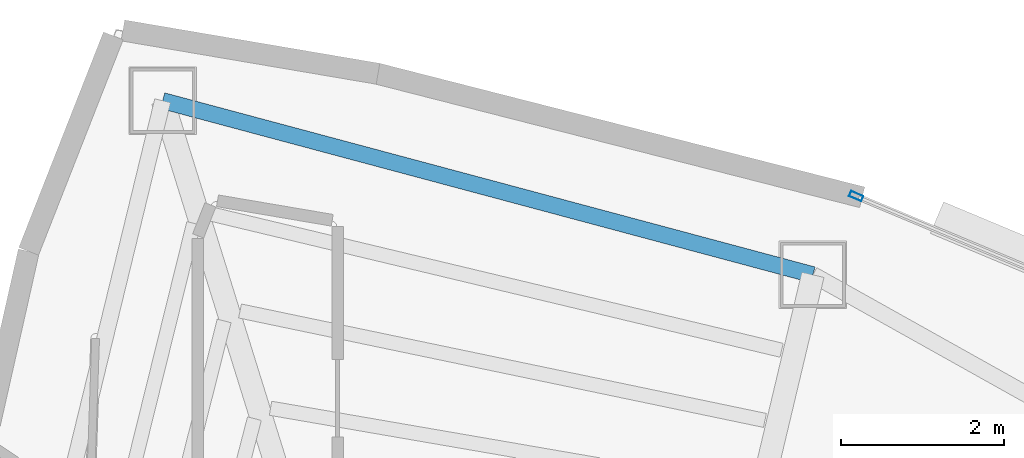
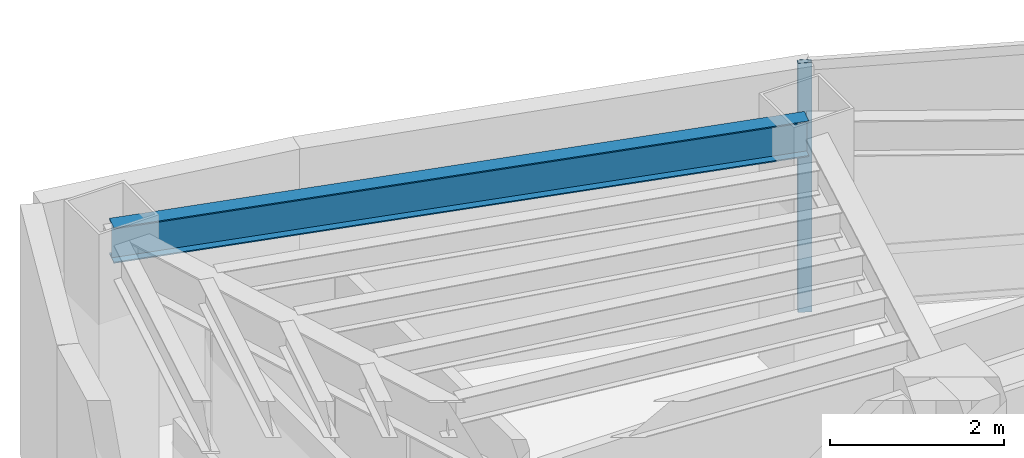
# One storey, part 9 of 16: 1 beam, 1 member, 1 element without a shape of its own.
"""IFC4 building model written with IfcOpenShell, lengths in metres."""

from ifc_helpers import new_model, si_unit, direction, frame, origin, origin_2d, place, context, subcontext, project, spatial, hollow_rectangle, i_section, extrude, material, layer, layer_set, material_profile, profile_set, type_object, element, aggregate, save


model = new_model("IFC4")

# Units and contexts
model_context = context("Model", 3, precision=1e-05, world=origin(), true_north=direction((0.0, 1.0)))
body_context = subcontext(model_context, "Body", "Model", "MODEL_VIEW")
ifc_project = project(units=[si_unit("LENGTHUNIT", "METRE"), si_unit("AREAUNIT", "SQUARE_METRE"), si_unit("VOLUMEUNIT", "CUBIC_METRE"), si_unit("PLANEANGLEUNIT", "RADIAN"), si_unit("MASSUNIT", "GRAM", prefix="KILO")], contexts=[model_context])

# Site, building, storey
site_placement = place(None, origin())
site = spatial("IfcSite", under=ifc_project, at=site_placement, CompositionType="ELEMENT")
building_placement = place(site_placement, origin())
building = spatial("IfcBuilding", under=site, at=building_placement, Name="Menara Vayukalpa", CompositionType="ELEMENT")
storey_placement = place(building_placement, frame((0.0, 0.0, 280.6201171875)))
storey = spatial("IfcBuildingStorey", under=building, at=storey_placement, Name="L71", CompositionType="ELEMENT", Elevation=280.6201171875)

# Beam
ifc_material_1 = material(Name="Steel S355", Category="steel")
ifc_material_profile_1 = material_profile(ifc_material_1, i_section(OverallWidth=0.199951171875, OverallDepth=0.5, WebThickness=0.010009765625, FlangeThickness=0.01611328125, at=origin_2d()), Name="WF 500x200x10x16")
ifc_profile_set_1 = profile_set([ifc_material_profile_1], Name="Steel S355")
beam_type = type_object("IfcBeamType", Name="BM-SP3", PredefinedType="SPANDREL", material=ifc_profile_set_1)
beam_placement = place(storey_placement, frame((23.3818359375, 32.40478515625, 3.25), z_axis=(-0.965978332552, 0.258623009494, 0.0), x_axis=(-0.258623009494, -0.965978332552, 0.0)))
element("IfcBeam", 1, at=beam_placement, inside=storey, type_object=beam_type, Name="L71 Perimeter Spandrel Beam SP03", PredefinedType="SPANDREL", context=body_context, shape_type="SweptSolid", body=[
    extrude(i_section(OverallWidth=0.199951171875, OverallDepth=0.5, WebThickness=0.010009765625, FlangeThickness=0.01611328125, at=origin_2d()), origin(), (0.0, 0.0, 1.0), 8.274169921875),
])

# Curtain wall, member
ifc_material_2 = material(Name="Anodised Terracotta Aluminium Alloy 6063-T6", Category="masonry")
ifc_layer = layer(ifc_material_2, 0.1650390625)
ifc_layer_set = layer_set([ifc_layer], Name="Anodised Terracotta Aluminium Alloy 6063-T6")
curtain_wall_type = type_object("IfcCurtainWallType", Name="CW-CW6", PredefinedType="USERDEFINED", material=ifc_layer_set)
curtain_wall_placement = place(storey_placement, origin())
curtain_wall = element("IfcCurtainWall", 2, at=curtain_wall_placement, inside=storey, type_object=curtain_wall_type, Name="L71 Observation and Executive Curtain Wall CW6 05", ObjectType="UNITISED", PredefinedType="USERDEFINED")
ifc_material_3 = material(Name="Anodised Terracotta Aluminium Alloy 6063-T6", Category="masonry")
ifc_material_profile_2 = material_profile(ifc_material_3, hollow_rectangle(XDim=0.070068359375, YDim=0.1650390625, WallThickness=0.00390625, at=origin_2d()), Name="ALU 70x165x4")
ifc_profile_set_2 = profile_set([ifc_material_profile_2], Name="Anodised Terracotta Aluminium Alloy 6063-T6")
member_type = type_object("IfcMemberType", Name="CWM-CW6", PredefinedType="MULLION", material=ifc_profile_set_2)
member_placement = place(storey_placement, frame((23.913330078125, 33.37158203125, 0.0), z_axis=(0.0, 0.0, 1.0), x_axis=(-0.385899911703, -0.922540653927, 0.0)))
member = element("IfcMember", 3, at=member_placement, type_object=member_type, Name="CW6 mullion 3", PredefinedType="MULLION", context=body_context, shape_type="SweptSolid", body=[
    extrude(hollow_rectangle(XDim=0.070068359375, YDim=0.1650390625, WallThickness=0.00390625, at=origin_2d()), origin(), (0.0, 0.0, 1.0), 3.5),
])
aggregate(curtain_wall, [member])

save(model, "model.ifc")
